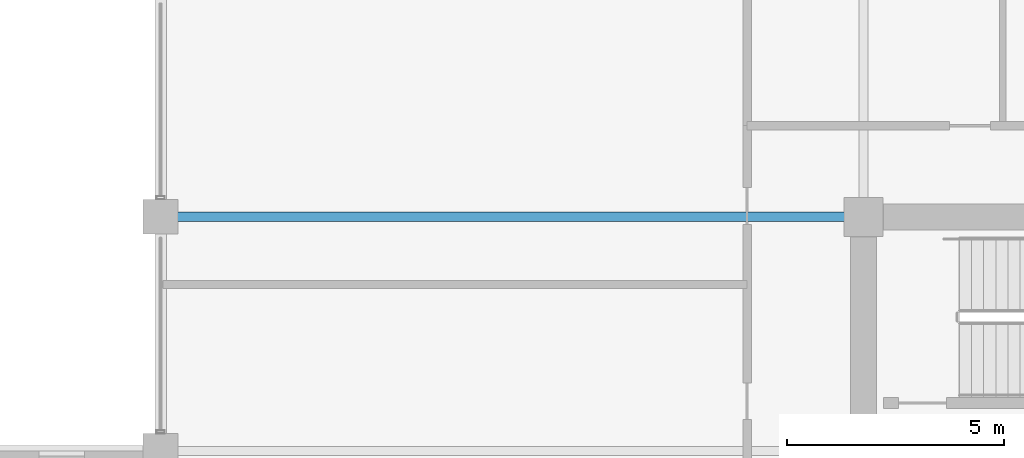
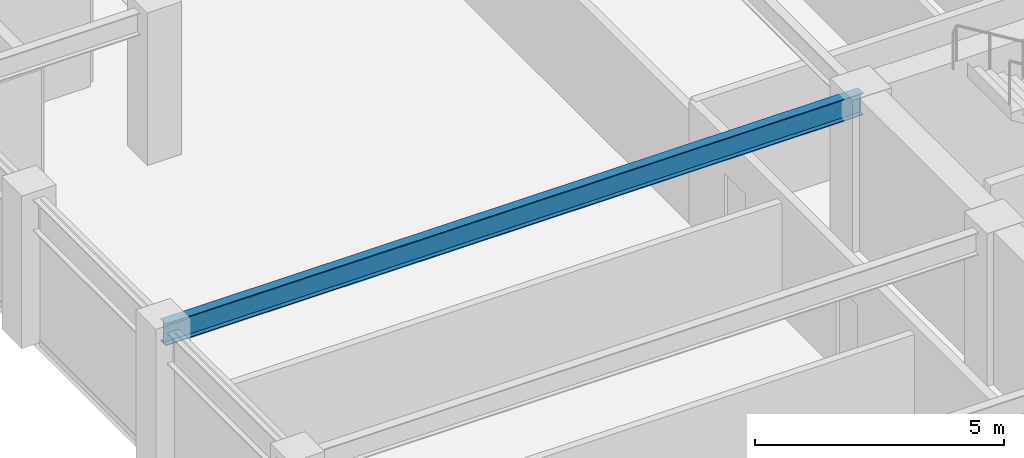
# One storey, part 14 of 28: 1 beam.
"""IFC4 building model written with IfcOpenShell, lengths in metres."""

from ifc_helpers import new_model, si_unit, direction, frame, origin, origin_2d, place, context, subcontext, project, spatial, i_section, extrude, material, material_profile, profile_set, type_object, element, save


model = new_model("IFC4")

# Units and contexts
model_context = context("Model", 3, precision=1e-05, world=origin(), true_north=direction((0.0, 1.0)))
body_context = subcontext(model_context, "Body", "Model", "MODEL_VIEW")
ifc_project = project(units=[si_unit("LENGTHUNIT", "METRE"), si_unit("AREAUNIT", "SQUARE_METRE"), si_unit("VOLUMEUNIT", "CUBIC_METRE"), si_unit("PLANEANGLEUNIT", "RADIAN"), si_unit("MASSUNIT", "GRAM", prefix="KILO")], contexts=[model_context])

# Site, building, storey
site_placement = place(None, origin())
site = spatial("IfcSite", under=ifc_project, at=site_placement, CompositionType="ELEMENT")
building_placement = place(site_placement, origin())
building = spatial("IfcBuilding", under=site, at=building_placement, Name="Surkhivell Harbour Commons", CompositionType="ELEMENT")
storey_placement = place(building_placement, frame((0.0, 0.0, 238.5)))
storey = spatial("IfcBuildingStorey", under=building, at=storey_placement, Name="L62", CompositionType="ELEMENT", Elevation=238.5)

# Beam
ifc_material = material(Name="Steel S355", Category="steel")
ifc_material_profile = material_profile(ifc_material, i_section(OverallWidth=0.2119140625, OverallDepth=0.5439453125, WebThickness=0.0126953125, FlangeThickness=0.021240234375, at=origin_2d()), Name="UB533x210x122")
ifc_profile_set = profile_set([ifc_material_profile], Name="Steel S355")
beam_type = type_object("IfcBeamType", Name="BM-GRD-533A", PredefinedType="BEAM", material=ifc_profile_set)
beam_placement = place(storey_placement, frame((-27.0, 10.800048828125, 3.298095703125), z_axis=(1.0, 0.0, 0.0), x_axis=(0.0, 1.0, 0.0)))
element("IfcBeam", 1, at=beam_placement, inside=storey, type_object=beam_type, Name="L62 Floor Girder (-27.0,10.8)", PredefinedType="BEAM", context=body_context, shape_type="SweptSolid", body=[
    extrude(i_section(OverallWidth=0.2119140625, OverallDepth=0.5439453125, WebThickness=0.0126953125, FlangeThickness=0.021240234375, at=origin_2d()), origin(), (0.0, 0.0, 1.0), 16.199951171875),
])

save(model, "model.ifc")
